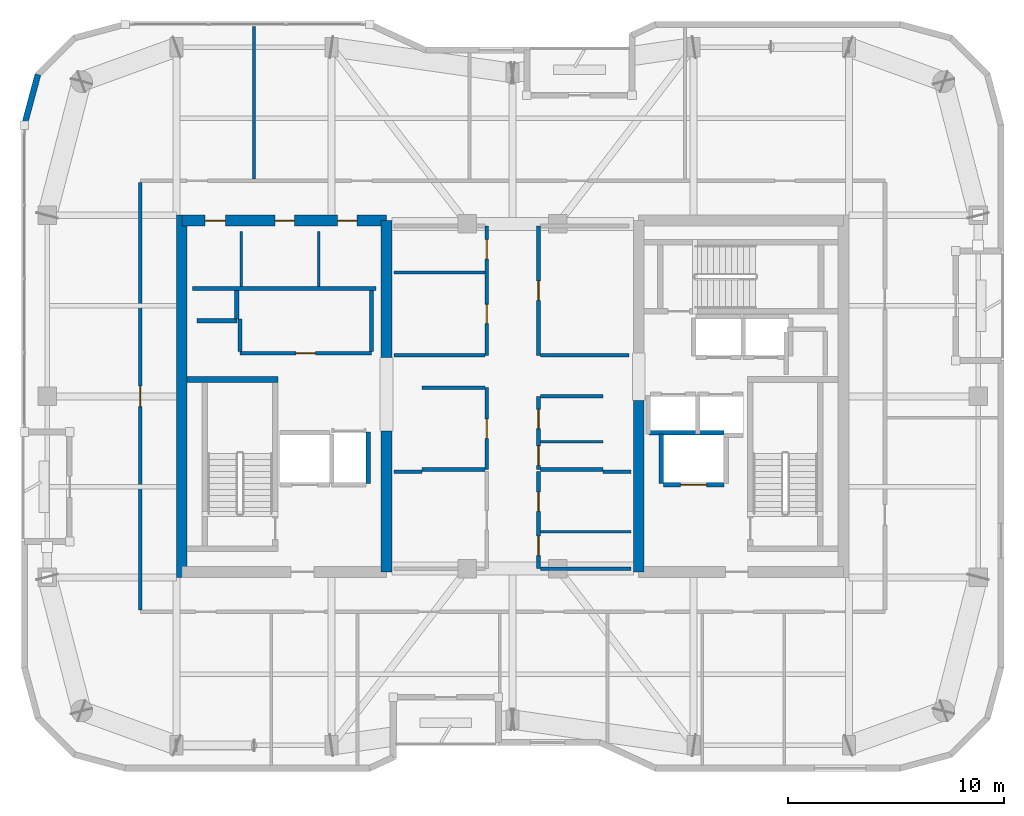
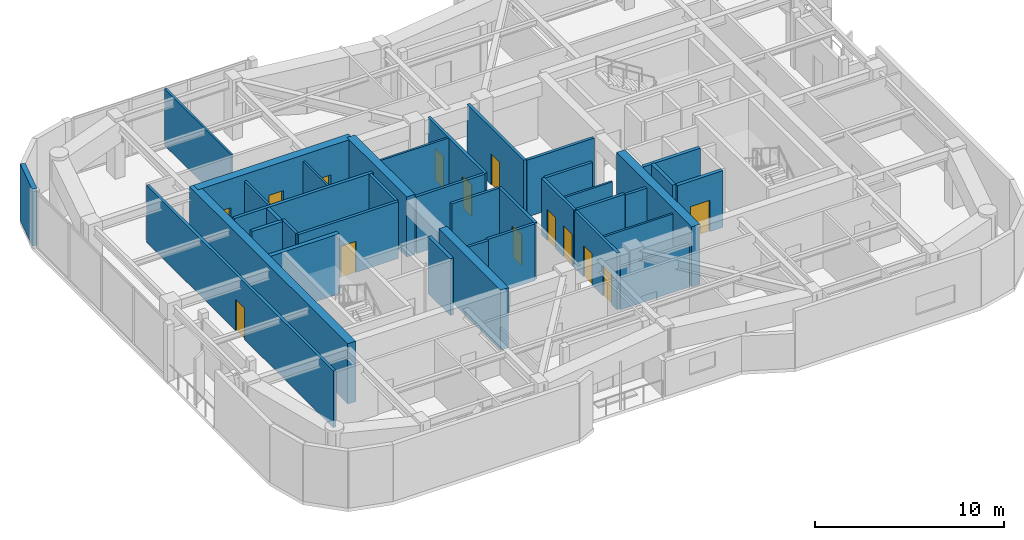
# One storey, part 11 of 15: 38 walls, 14 doors, 14 openings.
"""IFC4 building model written with IfcOpenShell, lengths in metres."""

from ifc_helpers import new_model, si_unit, direction, frame, frame_2d, origin, place, context, subcontext, project, spatial, rectangle, extrude, material, layer, layer_set, type_object, element, fill, save


model = new_model("IFC4")

# Units and contexts
model_context = context("Model", 3, precision=1e-05, world=origin(), true_north=direction((0.0, 1.0)))
body_context = subcontext(model_context, "Body", "Model", "MODEL_VIEW")
ifc_project = project(units=[si_unit("LENGTHUNIT", "METRE"), si_unit("AREAUNIT", "SQUARE_METRE"), si_unit("VOLUMEUNIT", "CUBIC_METRE"), si_unit("PLANEANGLEUNIT", "RADIAN"), si_unit("MASSUNIT", "GRAM", prefix="KILO")], contexts=[model_context])

# Site, building, storey
site_placement = place(None, origin())
site = spatial("IfcSite", under=ifc_project, at=site_placement, CompositionType="ELEMENT")
building_placement = place(site_placement, origin())
building = spatial("IfcBuilding", under=site, at=building_placement, Name="Kiyonajd Concourse Tower", CompositionType="ELEMENT")
storey_placement = place(building_placement, frame((0.0, 0.0, 314.10009765625)))
storey = spatial("IfcBuildingStorey", under=building, at=storey_placement, Name="L79", CompositionType="ELEMENT", Elevation=314.10009765625)

# Walls
ifc_material_1 = material(Name="Concrete C60/75", Category="concrete")
ifc_layer_1 = layer(ifc_material_1, 0.5)
ifc_layer_set_1 = layer_set([ifc_layer_1], Name="Concrete C60/75")
wall_type_1 = type_object("IfcWallType", Name="WL-CORE-500", PredefinedType="SHEAR", material=ifc_layer_set_1)
wall_1_placement = place(storey_placement, frame((32.64990234375, 27.60009765625, 0.0), z_axis=(0.0, 0.0, 1.0), x_axis=(0.0, 1.0, 0.0)))
element("IfcWall", 1, at=wall_1_placement, inside=storey, type_object=wall_type_1, Name="L79 West Core Outer Shear Wall", PredefinedType="SHEAR", context=body_context, shape_type="SweptSolid", body=[
    extrude(rectangle(XDim=16.7998046875, YDim=0.5, at=frame_2d((8.39990234375, 0.0))), origin(), (0.0, 0.0, 1.0), 3.89990234375),
])
wall_2_placement = place(storey_placement, frame((42.14990234375, 27.85009765625, 0.0), z_axis=(0.0, 0.0, 1.0), x_axis=(0.0, 1.0, 0.0)))
element("IfcWall", 2, at=wall_2_placement, inside=storey, type_object=wall_type_1, Name="L79 West Core Inner South Shear Wall", PredefinedType="SHEAR", context=body_context, shape_type="SweptSolid", body=[
    extrude(rectangle(XDim=6.5498046875, YDim=0.5, at=frame_2d((3.27490234375, 0.0))), origin(), (0.0, 0.0, 1.0), 3.89990234375),
])
wall_3_placement = place(storey_placement, frame((42.14990234375, 37.800048828125, 0.0), z_axis=(0.0, 0.0, 1.0), x_axis=(0.0, 1.0, 0.0)))
element("IfcWall", 3, at=wall_3_placement, inside=storey, type_object=wall_type_1, Name="L79 West Core Inner North Shear Wall", PredefinedType="SHEAR", context=body_context, shape_type="SweptSolid", body=[
    extrude(rectangle(XDim=6.349853515625, YDim=0.5, at=frame_2d((3.1748046875, 0.0))), origin(), (0.0, 0.0, 1.0), 3.89990234375),
])

# Wall, openings, doors
wall_4_placement = place(storey_placement, frame((32.64990234375, 44.14990234375, 0.0), z_axis=(0.0, 0.0, 1.0), x_axis=(1.0, 0.0, 0.0)))
wall_4 = element("IfcWall", 4, at=wall_4_placement, inside=storey, type_object=wall_type_1, Name="L79 West Core North Shear Wall", PredefinedType="SHEAR", context=body_context, shape_type="SweptSolid", body=[
    extrude(rectangle(XDim=9.5, YDim=0.5, at=frame_2d((4.75, 0.0))), origin(), (0.0, 0.0, 1.0), 3.89990234375),
])
opening_1_placement = place(wall_4_placement, frame((1.074951171875, 0.0, 0.0)))
opening_1 = element("IfcOpeningElement", 5, at=opening_1_placement, cuts=wall_4, Name="Opening DI1", PredefinedType="OPENING", context=body_context, shape_type="SweptSolid", body=[
    extrude(rectangle(XDim=0.949951171875, YDim=2.0400390625, at=frame_2d((0.47509765625, 1.02001953125))), frame((0.0, 0.260009765625, 0.0), z_axis=(0.0, -1.0, 0.0), x_axis=(1.0, 0.0, 0.0)), (0.0, 0.0, 1.0), 0.52001953125),
])
opening_2_placement = place(wall_4_placement, frame((4.324951171875, 0.0, 0.0)))
opening_2 = element("IfcOpeningElement", 6, at=opening_2_placement, cuts=wall_4, Name="Opening DI2", PredefinedType="OPENING", context=body_context, shape_type="SweptSolid", body=[
    extrude(rectangle(XDim=0.89990234375, YDim=2.02001953125, at=frame_2d((0.449951171875, 1.010009765625))), frame((0.0, 0.260009765625, 0.0), z_axis=(0.0, -1.0, 0.0), x_axis=(1.0, 0.0, 0.0)), (0.0, 0.0, 1.0), 0.52001953125),
])
opening_3_placement = place(wall_4_placement, frame((7.22509765625, 0.0, 0.0)))
opening_3 = element("IfcOpeningElement", 7, at=opening_3_placement, cuts=wall_4, Name="Opening DI2", PredefinedType="OPENING", context=body_context, shape_type="SweptSolid", body=[
    extrude(rectangle(XDim=0.89990234375, YDim=2.02001953125, at=frame_2d((0.449951171875, 1.010009765625))), frame((0.0, 0.260009765625, 0.0), z_axis=(0.0, -1.0, 0.0), x_axis=(1.0, 0.0, 0.0)), (0.0, 0.0, 1.0), 0.52001953125),
])
ifc_material_2 = material(Name="Natural Oak Acoustic Timber Veneer", Category="wood")
door_type_1 = type_object("IfcDoorType", Name="DR-INT-900", OperationType="NOTDEFINED", PredefinedType="DOOR", material=ifc_material_2)
door_1_placement = place(opening_2_placement, origin())
door_1 = element("IfcDoor", 8, at=door_1_placement, inside=storey, type_object=door_type_1, Name="L79 Male Restroom Door", OperationType="SINGLE_SWING_RIGHT", OverallHeight=2.02001953125, OverallWidth=0.89990234375, PredefinedType="DOOR", context=body_context, shape_type="SweptSolid", body=[
    extrude(rectangle(XDim=0.89990234375, YDim=2.02001953125, at=frame_2d((0.449951171875, 1.010009765625))), frame((0.0, 0.02490234375, 0.0), z_axis=(0.0, -1.0, 0.0), x_axis=(1.0, 0.0, 0.0)), (0.0, 0.0, 1.0), 0.050048828125),
])
fill(opening_2, door_1)
door_2_placement = place(opening_3_placement, origin())
door_2 = element("IfcDoor", 9, at=door_2_placement, inside=storey, type_object=door_type_1, Name="L79 Female Restroom Door", OperationType="SINGLE_SWING_LEFT", OverallHeight=2.02001953125, OverallWidth=0.89990234375, PredefinedType="DOOR", context=body_context, shape_type="SweptSolid", body=[
    extrude(rectangle(XDim=0.89990234375, YDim=2.02001953125, at=frame_2d((0.449951171875, 1.010009765625))), frame((0.0, 0.02490234375, 0.0), z_axis=(0.0, -1.0, 0.0), x_axis=(1.0, 0.0, 0.0)), (0.0, 0.0, 1.0), 0.050048828125),
])
fill(opening_3, door_2)
door_type_2 = type_object("IfcDoorType", Name="DR-INT-950", OperationType="NOTDEFINED", PredefinedType="DOOR", material=ifc_material_2)
door_3_placement = place(opening_1_placement, origin())
door_3 = element("IfcDoor", 10, at=door_3_placement, inside=storey, type_object=door_type_2, Name="L79 Single User Accessible WC Door", OperationType="SINGLE_SWING_LEFT", OverallHeight=2.0400390625, OverallWidth=0.949951171875, PredefinedType="DOOR", context=body_context, shape_type="SweptSolid", body=[
    extrude(rectangle(XDim=0.949951171875, YDim=2.0400390625, at=frame_2d((0.47509765625, 1.02001953125))), frame((0.0, 0.02490234375, 0.0), z_axis=(0.0, -1.0, 0.0), x_axis=(1.0, 0.0, 0.0)), (0.0, 0.0, 1.0), 0.050048828125),
])
fill(opening_1, door_3)

# Walls
wall_5_placement = place(storey_placement, frame((53.85009765625, 27.85009765625, 0.0), z_axis=(0.0, 0.0, 1.0), x_axis=(0.0, 1.0, 0.0)))
element("IfcWall", 11, at=wall_5_placement, inside=storey, type_object=wall_type_1, Name="L79 East Core Inner South Shear Wall", PredefinedType="SHEAR", context=body_context, shape_type="SweptSolid", body=[
    extrude(rectangle(XDim=7.949951171875, YDim=0.5, at=frame_2d((3.97509765625, 0.0))), origin(), (0.0, 0.0, 1.0), 3.89990234375),
])
ifc_material_3 = material(Name="Precast concrete C50/60", Category="concrete")
ifc_layer_2 = layer(ifc_material_3, 0.280029296875)
ifc_layer_set_2 = layer_set([ifc_layer_2], Name="Precast concrete C50/60")
wall_type_2 = type_object("IfcWallType", Name="WL-EXT-280", PredefinedType="SOLIDWALL", material=ifc_layer_set_2)
wall_6_placement = place(storey_placement, frame((25.340087890625, 48.58154296875, 0.0), z_axis=(0.0, 0.0, 1.0), x_axis=(0.258751159445, 0.965944013639, 0.0)))
element("IfcWall", 12, at=wall_6_placement, inside=storey, type_object=wall_type_2, Name="L79 Exterior Concrete Frame Wall 06", PredefinedType="SOLIDWALL", context=body_context, shape_type="SweptSolid", body=[
    extrude(rectangle(XDim=2.4287109375, YDim=0.280029296875, at=frame_2d((1.21435546875, 0.0))), origin(), (0.0, 0.0, 1.0), 3.679931640625),
])
ifc_material_4 = material(Name="Gypsum Board on Cold-Formed Steel Stud", Category="steel")
ifc_layer_3 = layer(ifc_material_4, 0.125)
ifc_layer_set_3 = layer_set([ifc_layer_3], Name="Gypsum Board on Cold-Formed Steel Stud")
wall_type_3 = type_object("IfcWallType", Name="WL-PART-125", PredefinedType="PARTITIONING", material=ifc_layer_set_3)
for number, where, z_axis, x_axis, name in (
    (13, (35.39990234375, 41.094970703125, 0.0), (0.0, 0.0, 1.0), (0.0, 1.0, 0.0), "L79 Interior Partition Wall"),
    (14, (39.0, 41.094970703125, 0.0), (0.0, 0.0, 1.0), (0.0, 1.0, 0.0), "L79 Interior Partition Wall"),
):
    element("IfcWall", number, at=place(storey_placement, frame(where, z_axis=z_axis, x_axis=x_axis)), inside=storey, type_object=wall_type_3, Name=name, PredefinedType="PARTITIONING", context=body_context, shape_type="SweptSolid", body=[
        extrude(rectangle(XDim=2.554931640625, YDim=0.125, at=frame_2d((1.27734375, 0.0))), origin(), (0.0, 0.0, 1.0), 3.679931640625),
    ])
wall_7_placement = place(storey_placement, frame((49.287109375, 33.89208984375, 0.0), z_axis=(0.0, 0.0, 1.0), x_axis=(1.0, 0.0, 0.0)))
element("IfcWall", 15, at=wall_7_placement, inside=storey, type_object=wall_type_3, Name="L79 Interior Partition Wall", PredefinedType="PARTITIONING", context=body_context, shape_type="SweptSolid", body=[
    extrude(rectangle(XDim=2.912841796875, YDim=0.125, at=frame_2d((1.45654296875, 0.0))), origin(), (0.0, 0.0, 1.0), 3.679931640625),
])
for number, where, z_axis, x_axis, name in (
    (16, (49.287109375, 29.7099609375, 0.0), (0.0, 0.0, 1.0), (1.0, 0.0, 0.0), "L79 Interior Partition Wall"),
    (17, (42.5, 41.739990234375, 0.0), (0.0, 0.0, 1.0), (1.0, 0.0, 0.0), "L79 Interior Partition Wall"),
):
    element("IfcWall", number, at=place(storey_placement, frame(where, z_axis=z_axis, x_axis=x_axis)), inside=storey, type_object=wall_type_3, Name=name, PredefinedType="PARTITIONING", context=body_context, shape_type="SweptSolid", body=[
        extrude(rectangle(XDim=4.212890625, YDim=0.125, at=frame_2d((2.1064453125, 0.0))), origin(), (0.0, 0.0, 1.0), 3.679931640625),
    ])
wall_8_placement = place(storey_placement, frame((36.0, 46.0869140625, 0.0), z_axis=(0.0, 0.0, 1.0), x_axis=(0.0, 1.0, 0.0)))
element("IfcWall", 18, at=wall_8_placement, inside=storey, type_object=wall_type_3, Name="L79 Interior Partition Wall", PredefinedType="PARTITIONING", context=body_context, shape_type="SweptSolid", body=[
    extrude(rectangle(XDim=7.078125, YDim=0.125, at=frame_2d((3.5390625, 0.0))), origin(), (0.0, 0.0, 1.0), 3.679931640625),
])
ifc_layer_4 = layer(ifc_material_4, 0.18994140625)
ifc_layer_set_4 = layer_set([ifc_layer_4], Name="Gypsum Board on Cold-Formed Steel Stud")
wall_type_4 = type_object("IfcWallType", Name="WL-PLMB-190", PredefinedType="PLUMBINGWALL", material=ifc_layer_set_4)
wall_9_placement = place(storey_placement, frame((33.14990234375, 41.0, 0.0), z_axis=(0.0, 0.0, 1.0), x_axis=(1.0, 0.0, 0.0)))
element("IfcWall", 19, at=wall_9_placement, inside=storey, type_object=wall_type_4, Name="L79 Interior Partition Wall", PredefinedType="PLUMBINGWALL", context=body_context, shape_type="SweptSolid", body=[
    extrude(rectangle(XDim=8.5, YDim=0.18994140625, at=frame_2d((4.25, 0.0))), origin(), (0.0, 0.0, 1.0), 3.679931640625),
])
ifc_layer_5 = layer(ifc_material_4, 0.2099609375)
ifc_layer_set_5 = layer_set([ifc_layer_5], Name="Gypsum Board on Cold-Formed Steel Stud")
wall_type_5 = type_object("IfcWallType", Name="WL-SHAFT-210", PredefinedType="PARTITIONING", material=ifc_layer_set_5)
wall_10_placement = place(storey_placement, frame((33.360107421875, 39.5, 0.0), z_axis=(0.0, 0.0, 1.0), x_axis=(1.0, 0.0, 0.0)))
element("IfcWall", 20, at=wall_10_placement, inside=storey, type_object=wall_type_5, Name="L79 Shaft Enclosure Wall", PredefinedType="PARTITIONING", context=body_context, shape_type="SweptSolid", body=[
    extrude(rectangle(XDim=1.85986328125, YDim=0.2099609375, at=frame_2d((0.929931640625, 0.0))), origin(), (0.0, 0.0, 1.0), 3.679931640625),
])
wall_11_placement = place(storey_placement, frame((35.199951171875, 39.580078125, 0.0), z_axis=(0.0, 0.0, 1.0), x_axis=(0.0, 1.0, 0.0)))
element("IfcWall", 21, at=wall_11_placement, inside=storey, type_object=wall_type_5, Name="L79 Shaft Enclosure Wall", PredefinedType="PARTITIONING", context=body_context, shape_type="SweptSolid", body=[
    extrude(rectangle(XDim=1.31982421875, YDim=0.2099609375, at=frame_2d((0.659912109375, 0.0))), origin(), (0.0, 0.0, 1.0), 3.679931640625),
])

# Wall, opening, door
wall_12_placement = place(storey_placement, frame((55.0, 31.89990234375, 0.0), z_axis=(0.0, 0.0, 1.0), x_axis=(1.0, 0.0, 0.0)))
wall_12 = element("IfcWall", 22, at=wall_12_placement, inside=storey, type_object=wall_type_5, Name="L79 Shaft Enclosure Wall", PredefinedType="PARTITIONING", context=body_context, shape_type="SweptSolid", body=[
    extrude(rectangle(XDim=2.800048828125, YDim=0.2099609375, at=frame_2d((1.39990234375, 0.0))), origin(), (0.0, 0.0, 1.0), 3.679931640625),
])
opening_4_placement = place(wall_12_placement, frame((0.800048828125, 0.0, 0.0)))
opening_4 = element("IfcOpeningElement", 23, at=opening_4_placement, cuts=wall_12, Name="Opening LD2", PredefinedType="OPENING", context=body_context, shape_type="SweptSolid", body=[
    extrude(rectangle(XDim=1.199951171875, YDim=2.0400390625, at=frame_2d((0.60009765625, 1.02001953125))), frame((0.0, 0.114990234375, 0.0), z_axis=(0.0, -1.0, 0.0), x_axis=(1.0, 0.0, 0.0)), (0.0, 0.0, 1.0), 0.22998046875),
])
ifc_material_5 = material(Name="Brushed Stainless Steel Cab Assembly", Category="steel")
door_type_3 = type_object("IfcDoorType", Name="DR-LD-1200", OperationType="DOUBLE_DOOR_SLIDING", PredefinedType="DOOR", material=ifc_material_5)
door_4_placement = place(opening_4_placement, origin())
door_4 = element("IfcDoor", 24, at=door_4_placement, inside=storey, type_object=door_type_3, Name="L79 Lift FFL2 Sliding Landing Door", OperationType="DOUBLE_DOOR_SLIDING", OverallHeight=2.0400390625, OverallWidth=1.199951171875, PredefinedType="DOOR", context=body_context, shape_type="SweptSolid", body=[
    extrude(rectangle(XDim=1.199951171875, YDim=2.0400390625, at=frame_2d((0.60009765625, 1.02001953125))), frame((0.0, 0.02490234375, 0.0), z_axis=(0.0, -1.0, 0.0), x_axis=(1.0, 0.0, 0.0)), (0.0, 0.0, 1.0), 0.050048828125),
])
fill(opening_4, door_4)

# Walls
wall_13_placement = place(storey_placement, frame((54.320068359375, 34.300048828125, 0.0), z_axis=(0.0, 0.0, 1.0), x_axis=(1.0, 0.0, 0.0)))
element("IfcWall", 25, at=wall_13_placement, inside=storey, type_object=wall_type_5, Name="L79 Shaft Enclosure Wall", PredefinedType="PARTITIONING", context=body_context, shape_type="SweptSolid", body=[
    extrude(rectangle(XDim=3.47998046875, YDim=0.2099609375, at=frame_2d((1.739990234375, 0.0))), origin(), (0.0, 0.0, 1.0), 3.679931640625),
])
wall_14_placement = place(storey_placement, frame((54.89990234375, 31.9599609375, 0.0), z_axis=(0.0, 0.0, 1.0), x_axis=(0.0, 1.0, 0.0)))
element("IfcWall", 26, at=wall_14_placement, inside=storey, type_object=wall_type_5, Name="L79 Shaft Enclosure Wall", PredefinedType="PARTITIONING", context=body_context, shape_type="SweptSolid", body=[
    extrude(rectangle(XDim=2.280029296875, YDim=0.2099609375, at=frame_2d((1.14013671875, 0.0))), origin(), (0.0, 0.0, 1.0), 3.679931640625),
])
wall_15_placement = place(storey_placement, frame((41.300048828125, 31.9599609375, 0.0), z_axis=(0.0, 0.0, 1.0), x_axis=(0.0, 1.0, 0.0)))
element("IfcWall", 27, at=wall_15_placement, inside=storey, type_object=wall_type_5, Name="L79 Shaft Enclosure Wall", PredefinedType="PARTITIONING", context=body_context, shape_type="SweptSolid", body=[
    extrude(rectangle(XDim=2.380126953125, YDim=0.2099609375, at=frame_2d((1.18994140625, 0.0))), origin(), (0.0, 0.0, 1.0), 3.679931640625),
])

# Wall, opening, door
ifc_layer_6 = layer(ifc_material_4, 0.169921875)
ifc_layer_set_6 = layer_set([ifc_layer_6], Name="Gypsum Board on Cold-Formed Steel Stud")
wall_type_6 = type_object("IfcWallType", Name="WL-SMK-170", PredefinedType="PARTITIONING", material=ifc_layer_set_6)
wall_16_placement = place(storey_placement, frame((35.35009765625, 38.0, 0.0), z_axis=(0.0, 0.0, 1.0), x_axis=(1.0, 0.0, 0.0)))
wall_16 = element("IfcWall", 28, at=wall_16_placement, inside=storey, type_object=wall_type_6, Name="L79 Interior Partition Wall", PredefinedType="PARTITIONING", context=body_context, shape_type="SweptSolid", body=[
    extrude(rectangle(XDim=6.099853515625, YDim=0.169921875, at=frame_2d((3.0498046875, 0.0))), origin(), (0.0, 0.0, 1.0), 3.679931640625),
])
opening_5_placement = place(wall_16_placement, frame((2.60009765625, 0.0, 0.0)))
opening_5 = element("IfcOpeningElement", 29, at=opening_5_placement, cuts=wall_16, Name="Opening DI2", PredefinedType="OPENING", context=body_context, shape_type="SweptSolid", body=[
    extrude(rectangle(XDim=0.89990234375, YDim=2.02001953125, at=frame_2d((0.449951171875, 1.010009765625))), frame((0.0, 0.094970703125, 0.0), z_axis=(0.0, -1.0, 0.0), x_axis=(1.0, 0.0, 0.0)), (0.0, 0.0, 1.0), 0.18994140625),
])
door_5_placement = place(opening_5_placement, origin())
door_5 = element("IfcDoor", 30, at=door_5_placement, inside=storey, type_object=door_type_1, Name="L79 Interior Door", OperationType="SINGLE_SWING_LEFT", OverallHeight=2.02001953125, OverallWidth=0.89990234375, PredefinedType="DOOR", context=body_context, shape_type="SweptSolid", body=[
    extrude(rectangle(XDim=0.89990234375, YDim=2.02001953125, at=frame_2d((0.449951171875, 1.010009765625))), frame((0.0, 0.02490234375, 0.0), z_axis=(0.0, -1.0, 0.0), x_axis=(1.0, 0.0, 0.0)), (0.0, 0.0, 1.0), 0.050048828125),
])
fill(opening_5, door_5)

# Walls
wall_17_placement = place(storey_placement, frame((35.35009765625, 38.0869140625, 0.0), z_axis=(0.0, 0.0, 1.0), x_axis=(0.0, 1.0, 0.0)))
element("IfcWall", 31, at=wall_17_placement, inside=storey, type_object=wall_type_6, Name="L79 Interior Partition Wall", PredefinedType="PARTITIONING", context=body_context, shape_type="SweptSolid", body=[
    extrude(rectangle(XDim=1.4931640625, YDim=0.169921875, at=frame_2d((0.74658203125, 0.0))), origin(), (0.0, 0.0, 1.0), 3.679931640625),
])
wall_18_placement = place(storey_placement, frame((41.449951171875, 38.0869140625, 0.0), z_axis=(0.0, 0.0, 1.0), x_axis=(0.0, 1.0, 0.0)))
element("IfcWall", 32, at=wall_18_placement, inside=storey, type_object=wall_type_6, Name="L79 Interior Partition Wall", PredefinedType="PARTITIONING", context=body_context, shape_type="SweptSolid", body=[
    extrude(rectangle(XDim=2.81298828125, YDim=0.169921875, at=frame_2d((1.406494140625, 0.0))), origin(), (0.0, 0.0, 1.0), 3.679931640625),
])

# Wall, opening, door
wall_19_placement = place(storey_placement, frame((46.800048828125, 32.60009765625, 0.0), z_axis=(0.0, 0.0, 1.0), x_axis=(0.0, 1.0, 0.0)))
wall_19 = element("IfcWall", 33, at=wall_19_placement, inside=storey, type_object=wall_type_6, Name="L79 Interior Partition Wall", PredefinedType="PARTITIONING", context=body_context, shape_type="SweptSolid", body=[
    extrude(rectangle(XDim=3.7998046875, YDim=0.169921875, at=frame_2d((1.89990234375, 0.0))), origin(), (0.0, 0.0, 1.0), 3.679931640625),
])
opening_6_placement = place(wall_19_placement, frame((1.449951171875, 0.0, 0.0)))
opening_6 = element("IfcOpeningElement", 34, at=opening_6_placement, cuts=wall_19, Name="Opening DI2", PredefinedType="OPENING", context=body_context, shape_type="SweptSolid", body=[
    extrude(rectangle(XDim=0.89990234375, YDim=2.02001953125, at=frame_2d((0.449951171875, 1.010009765625))), frame((0.0, 0.094970703125, 0.0), z_axis=(0.0, -1.0, 0.0), x_axis=(1.0, 0.0, 0.0)), (0.0, 0.0, 1.0), 0.18994140625),
])
door_6_placement = place(opening_6_placement, origin())
door_6 = element("IfcDoor", 35, at=door_6_placement, inside=storey, type_object=door_type_1, Name="L79 Interior Door", OperationType="SINGLE_SWING_RIGHT", OverallHeight=2.02001953125, OverallWidth=0.89990234375, PredefinedType="DOOR", context=body_context, shape_type="SweptSolid", body=[
    extrude(rectangle(XDim=0.89990234375, YDim=2.02001953125, at=frame_2d((0.449951171875, 1.010009765625))), frame((0.0, 0.02490234375, 0.0), z_axis=(0.0, -1.0, 0.0), x_axis=(1.0, 0.0, 0.0)), (0.0, 0.0, 1.0), 0.050048828125),
])
fill(opening_6, door_6)

# Walls
for number, where, z_axis, x_axis, name in (
    (36, (43.800048828125, 32.60009765625, 0.0), (0.0, 0.0, 1.0), (1.0, 0.0, 0.0), "L79 Interior Partition Wall"),
    (37, (43.800048828125, 36.39990234375, 0.0), (0.0, 0.0, 1.0), (1.0, 0.0, 0.0), "L79 Interior Partition Wall"),
):
    element("IfcWall", number, at=place(storey_placement, frame(where, z_axis=z_axis, x_axis=x_axis)), inside=storey, type_object=wall_type_6, Name=name, PredefinedType="PARTITIONING", context=body_context, shape_type="SweptSolid", body=[
        extrude(rectangle(XDim=2.912841796875, YDim=0.169921875, at=frame_2d((1.45654296875, 0.0))), origin(), (0.0, 0.0, 1.0), 3.679931640625),
    ])

# Wall, openings, doors
wall_20_placement = place(storey_placement, frame((49.199951171875, 32.60009765625, 0.0), z_axis=(0.0, 0.0, 1.0), x_axis=(0.0, 1.0, 0.0)))
wall_20 = element("IfcWall", 38, at=wall_20_placement, inside=storey, type_object=wall_type_6, Name="L79 Interior Partition Wall", PredefinedType="PARTITIONING", context=body_context, shape_type="SweptSolid", body=[
    extrude(rectangle(XDim=3.39990234375, YDim=0.169921875, at=frame_2d((1.699951171875, 0.0))), origin(), (0.0, 0.0, 1.0), 3.679931640625),
])
opening_7_placement = place(wall_20_placement, frame((0.196044921875, 0.0, 0.0)))
opening_7 = element("IfcOpeningElement", 39, at=opening_7_placement, cuts=wall_20, Name="Opening DI2", PredefinedType="OPENING", context=body_context, shape_type="SweptSolid", body=[
    extrude(rectangle(XDim=0.89990234375, YDim=2.02001953125, at=frame_2d((0.449951171875, 1.010009765625))), frame((0.0, 0.094970703125, 0.0), z_axis=(0.0, -1.0, 0.0), x_axis=(1.0, 0.0, 0.0)), (0.0, 0.0, 1.0), 0.18994140625),
])
opening_8_placement = place(wall_20_placement, frame((1.89599609375, 0.0, 0.0)))
opening_8 = element("IfcOpeningElement", 40, at=opening_8_placement, cuts=wall_20, Name="Opening DI2", PredefinedType="OPENING", context=body_context, shape_type="SweptSolid", body=[
    extrude(rectangle(XDim=0.89990234375, YDim=2.02001953125, at=frame_2d((0.449951171875, 1.010009765625))), frame((0.0, 0.094970703125, 0.0), z_axis=(0.0, -1.0, 0.0), x_axis=(1.0, 0.0, 0.0)), (0.0, 0.0, 1.0), 0.18994140625),
])
door_7_placement = place(opening_7_placement, origin())
door_7 = element("IfcDoor", 41, at=door_7_placement, inside=storey, type_object=door_type_1, Name="L79 Interior Door", OperationType="SINGLE_SWING_LEFT", OverallHeight=2.02001953125, OverallWidth=0.89990234375, PredefinedType="DOOR", context=body_context, shape_type="SweptSolid", body=[
    extrude(rectangle(XDim=0.89990234375, YDim=2.02001953125, at=frame_2d((0.449951171875, 1.010009765625))), frame((0.0, 0.02490234375, 0.0), z_axis=(0.0, -1.0, 0.0), x_axis=(1.0, 0.0, 0.0)), (0.0, 0.0, 1.0), 0.050048828125),
])
fill(opening_7, door_7)
door_8_placement = place(opening_8_placement, origin())
door_8 = element("IfcDoor", 42, at=door_8_placement, inside=storey, type_object=door_type_1, Name="L79 Interior Door", OperationType="SINGLE_SWING_RIGHT", OverallHeight=2.02001953125, OverallWidth=0.89990234375, PredefinedType="DOOR", context=body_context, shape_type="SweptSolid", body=[
    extrude(rectangle(XDim=0.89990234375, YDim=2.02001953125, at=frame_2d((0.449951171875, 1.010009765625))), frame((0.0, 0.02490234375, 0.0), z_axis=(0.0, -1.0, 0.0), x_axis=(1.0, 0.0, 0.0)), (0.0, 0.0, 1.0), 0.050048828125),
])
fill(opening_8, door_8)

# Walls
for number, where, z_axis, x_axis, name in (
    (43, (49.287109375, 32.60009765625, 0.0), (0.0, 0.0, 1.0), (1.0, 0.0, 0.0), "L79 Interior Partition Wall"),
    (44, (49.287109375, 36.0, 0.0), (0.0, 0.0, 1.0), (1.0, 0.0, 0.0), "L79 Interior Partition Wall"),
):
    element("IfcWall", number, at=place(storey_placement, frame(where, z_axis=z_axis, x_axis=x_axis)), inside=storey, type_object=wall_type_6, Name=name, PredefinedType="PARTITIONING", context=body_context, shape_type="SweptSolid", body=[
        extrude(rectangle(XDim=2.912841796875, YDim=0.169921875, at=frame_2d((1.45654296875, 0.0))), origin(), (0.0, 0.0, 1.0), 3.679931640625),
    ])
wall_21_placement = place(storey_placement, frame((42.5, 32.5, 0.0), z_axis=(0.0, 0.0, 1.0), x_axis=(1.0, 0.0, 0.0)))
element("IfcWall", 45, at=wall_21_placement, inside=storey, type_object=wall_type_6, Name="L79 Interior Partition Wall", PredefinedType="PARTITIONING", context=body_context, shape_type="SweptSolid", body=[
    extrude(rectangle(XDim=1.300048828125, YDim=0.169921875, at=frame_2d((0.64990234375, 0.0))), origin(), (0.0, 0.0, 1.0), 3.679931640625),
])

# Wall, openings, doors
wall_22_placement = place(storey_placement, frame((49.199951171875, 28.0, 0.0), z_axis=(0.0, 0.0, 1.0), x_axis=(0.0, 1.0, 0.0)))
wall_22 = element("IfcWall", 46, at=wall_22_placement, inside=storey, type_object=wall_type_6, Name="L79 Interior Partition Wall", PredefinedType="PARTITIONING", context=body_context, shape_type="SweptSolid", body=[
    extrude(rectangle(XDim=4.5, YDim=0.169921875, at=frame_2d((2.25, 0.0))), origin(), (0.0, 0.0, 1.0), 3.679931640625),
])
opening_9_placement = place(wall_22_placement, frame((0.60498046875, 0.0, 0.0)))
opening_9 = element("IfcOpeningElement", 47, at=opening_9_placement, cuts=wall_22, Name="Opening DI2", PredefinedType="OPENING", context=body_context, shape_type="SweptSolid", body=[
    extrude(rectangle(XDim=0.89990234375, YDim=2.02001953125, at=frame_2d((0.449951171875, 1.010009765625))), frame((0.0, 0.094970703125, 0.0), z_axis=(0.0, -1.0, 0.0), x_axis=(1.0, 0.0, 0.0)), (0.0, 0.0, 1.0), 0.18994140625),
])
opening_10_placement = place(wall_22_placement, frame((2.655029296875, 0.0, 0.0)))
opening_10 = element("IfcOpeningElement", 48, at=opening_10_placement, cuts=wall_22, Name="Opening DI2", PredefinedType="OPENING", context=body_context, shape_type="SweptSolid", body=[
    extrude(rectangle(XDim=0.89990234375, YDim=2.02001953125, at=frame_2d((0.449951171875, 1.010009765625))), frame((0.0, 0.094970703125, 0.0), z_axis=(0.0, -1.0, 0.0), x_axis=(1.0, 0.0, 0.0)), (0.0, 0.0, 1.0), 0.18994140625),
])
door_9_placement = place(opening_9_placement, origin())
door_9 = element("IfcDoor", 49, at=door_9_placement, inside=storey, type_object=door_type_1, Name="L79 Interior Door", OperationType="SINGLE_SWING_RIGHT", OverallHeight=2.02001953125, OverallWidth=0.89990234375, PredefinedType="DOOR", context=body_context, shape_type="SweptSolid", body=[
    extrude(rectangle(XDim=0.89990234375, YDim=2.02001953125, at=frame_2d((0.449951171875, 1.010009765625))), frame((0.0, 0.02490234375, 0.0), z_axis=(0.0, -1.0, 0.0), x_axis=(1.0, 0.0, 0.0)), (0.0, 0.0, 1.0), 0.050048828125),
])
fill(opening_9, door_9)
door_10_placement = place(opening_10_placement, origin())
door_10 = element("IfcDoor", 50, at=door_10_placement, inside=storey, type_object=door_type_1, Name="L79 Interior Door", OperationType="SINGLE_SWING_LEFT", OverallHeight=2.02001953125, OverallWidth=0.89990234375, PredefinedType="DOOR", context=body_context, shape_type="SweptSolid", body=[
    extrude(rectangle(XDim=0.89990234375, YDim=2.02001953125, at=frame_2d((0.449951171875, 1.010009765625))), frame((0.0, 0.02490234375, 0.0), z_axis=(0.0, -1.0, 0.0), x_axis=(1.0, 0.0, 0.0)), (0.0, 0.0, 1.0), 0.050048828125),
])
fill(opening_10, door_10)

# Walls
wall_23_placement = place(storey_placement, frame((49.287109375, 28.0, 0.0), z_axis=(0.0, 0.0, 1.0), x_axis=(1.0, 0.0, 0.0)))
element("IfcWall", 51, at=wall_23_placement, inside=storey, type_object=wall_type_6, Name="L79 Interior Partition Wall", PredefinedType="PARTITIONING", context=body_context, shape_type="SweptSolid", body=[
    extrude(rectangle(XDim=4.212890625, YDim=0.169921875, at=frame_2d((2.1064453125, 0.0))), origin(), (0.0, 0.0, 1.0), 2.764892578125),
])
wall_24_placement = place(storey_placement, frame((52.199951171875, 32.5, 0.0), z_axis=(0.0, 0.0, 1.0), x_axis=(1.0, 0.0, 0.0)))
element("IfcWall", 52, at=wall_24_placement, inside=storey, type_object=wall_type_6, Name="L79 Interior Partition Wall", PredefinedType="PARTITIONING", context=body_context, shape_type="SweptSolid", body=[
    extrude(rectangle(XDim=1.300048828125, YDim=0.169921875, at=frame_2d((0.64990234375, 0.0))), origin(), (0.0, 0.0, 1.0), 3.679931640625),
])

# Wall, openings, doors
wall_25_placement = place(storey_placement, frame((46.800048828125, 37.89990234375, 0.0), z_axis=(0.0, 0.0, 1.0), x_axis=(0.0, 1.0, 0.0)))
wall_25 = element("IfcWall", 53, at=wall_25_placement, inside=storey, type_object=wall_type_6, Name="L79 Interior Partition Wall", PredefinedType="PARTITIONING", context=body_context, shape_type="SweptSolid", body=[
    extrude(rectangle(XDim=6.0, YDim=0.169921875, at=frame_2d((3.0, 0.0))), origin(), (0.0, 0.0, 1.0), 3.679931640625),
])
opening_11_placement = place(wall_25_placement, frame((1.469970703125, 0.0, 0.0)))
opening_11 = element("IfcOpeningElement", 54, at=opening_11_placement, cuts=wall_25, Name="Opening DF4", PredefinedType="OPENING", context=body_context, shape_type="SweptSolid", body=[
    extrude(rectangle(XDim=0.89990234375, YDim=2.02001953125, at=frame_2d((0.449951171875, 1.010009765625))), frame((0.0, 0.094970703125, 0.0), z_axis=(0.0, -1.0, 0.0), x_axis=(1.0, 0.0, 0.0)), (0.0, 0.0, 1.0), 0.18994140625),
])
opening_12_placement = place(wall_25_placement, frame((4.469970703125, 0.0, 0.0)))
opening_12 = element("IfcOpeningElement", 55, at=opening_12_placement, cuts=wall_25, Name="Opening DF4", PredefinedType="OPENING", context=body_context, shape_type="SweptSolid", body=[
    extrude(rectangle(XDim=0.89990234375, YDim=2.02001953125, at=frame_2d((0.449951171875, 1.010009765625))), frame((0.0, 0.094970703125, 0.0), z_axis=(0.0, -1.0, 0.0), x_axis=(1.0, 0.0, 0.0)), (0.0, 0.0, 1.0), 0.18994140625),
])
door_type_4 = type_object("IfcDoorType", Name="DR-FD60-900", OperationType="NOTDEFINED", PredefinedType="DOOR", material=ifc_material_5)
door_11_placement = place(opening_11_placement, origin())
door_11 = element("IfcDoor", 56, at=door_11_placement, inside=storey, type_object=door_type_4, Name="L79 Interior Door", OperationType="SINGLE_SWING_RIGHT", OverallHeight=2.02001953125, OverallWidth=0.89990234375, PredefinedType="DOOR", context=body_context, shape_type="SweptSolid", body=[
    extrude(rectangle(XDim=0.89990234375, YDim=2.02001953125, at=frame_2d((0.449951171875, 1.010009765625))), frame((0.0, 0.02490234375, 0.0), z_axis=(0.0, -1.0, 0.0), x_axis=(1.0, 0.0, 0.0)), (0.0, 0.0, 1.0), 0.050048828125),
])
fill(opening_11, door_11)
door_12_placement = place(opening_12_placement, origin())
door_12 = element("IfcDoor", 57, at=door_12_placement, inside=storey, type_object=door_type_4, Name="L79 Interior Door", OperationType="SINGLE_SWING_LEFT", OverallHeight=2.02001953125, OverallWidth=0.89990234375, PredefinedType="DOOR", context=body_context, shape_type="SweptSolid", body=[
    extrude(rectangle(XDim=0.89990234375, YDim=2.02001953125, at=frame_2d((0.449951171875, 1.010009765625))), frame((0.0, 0.02490234375, 0.0), z_axis=(0.0, -1.0, 0.0), x_axis=(1.0, 0.0, 0.0)), (0.0, 0.0, 1.0), 0.050048828125),
])
fill(opening_12, door_12)

# Wall
wall_26_placement = place(storey_placement, frame((42.5, 37.89990234375, 0.0), z_axis=(0.0, 0.0, 1.0), x_axis=(1.0, 0.0, 0.0)))
element("IfcWall", 58, at=wall_26_placement, inside=storey, type_object=wall_type_6, Name="L79 Interior Partition Wall", PredefinedType="PARTITIONING", context=body_context, shape_type="SweptSolid", body=[
    extrude(rectangle(XDim=4.212890625, YDim=0.169921875, at=frame_2d((2.1064453125, 0.0))), origin(), (0.0, 0.0, 1.0), 3.679931640625),
])

# Wall, opening, door
wall_27_placement = place(storey_placement, frame((49.199951171875, 37.89990234375, 0.0), z_axis=(0.0, 0.0, 1.0), x_axis=(0.0, 1.0, 0.0)))
wall_27 = element("IfcWall", 59, at=wall_27_placement, inside=storey, type_object=wall_type_6, Name="L79 Interior Partition Wall", PredefinedType="PARTITIONING", context=body_context, shape_type="SweptSolid", body=[
    extrude(rectangle(XDim=6.0, YDim=0.169921875, at=frame_2d((3.0, 0.0))), origin(), (0.0, 0.0, 1.0), 3.679931640625),
])
opening_13_placement = place(wall_27_placement, frame((2.550048828125, 0.0, 0.0)))
opening_13 = element("IfcOpeningElement", 60, at=opening_13_placement, cuts=wall_27, Name="Opening DI2", PredefinedType="OPENING", context=body_context, shape_type="SweptSolid", body=[
    extrude(rectangle(XDim=0.89990234375, YDim=2.02001953125, at=frame_2d((0.449951171875, 1.010009765625))), frame((0.0, 0.094970703125, 0.0), z_axis=(0.0, -1.0, 0.0), x_axis=(1.0, 0.0, 0.0)), (0.0, 0.0, 1.0), 0.18994140625),
])
door_13_placement = place(opening_13_placement, origin())
door_13 = element("IfcDoor", 61, at=door_13_placement, inside=storey, type_object=door_type_1, Name="L79 Interior Door", OperationType="SINGLE_SWING_RIGHT", OverallHeight=2.02001953125, OverallWidth=0.89990234375, PredefinedType="DOOR", context=body_context, shape_type="SweptSolid", body=[
    extrude(rectangle(XDim=0.89990234375, YDim=2.02001953125, at=frame_2d((0.449951171875, 1.010009765625))), frame((0.0, 0.02490234375, 0.0), z_axis=(0.0, -1.0, 0.0), x_axis=(1.0, 0.0, 0.0)), (0.0, 0.0, 1.0), 0.050048828125),
])
fill(opening_13, door_13)

# Wall
wall_28_placement = place(storey_placement, frame((49.287109375, 37.89990234375, 0.0), z_axis=(0.0, 0.0, 1.0), x_axis=(1.0, 0.0, 0.0)))
element("IfcWall", 62, at=wall_28_placement, inside=storey, type_object=wall_type_6, Name="L79 Interior Partition Wall", PredefinedType="PARTITIONING", context=body_context, shape_type="SweptSolid", body=[
    extrude(rectangle(XDim=4.11279296875, YDim=0.169921875, at=frame_2d((2.056396484375, 0.0))), origin(), (0.0, 0.0, 1.0), 3.679931640625),
])

# Wall, opening, door
wall_29_placement = place(storey_placement, frame((30.72509765625, 26.0869140625, 0.0), z_axis=(0.0, 0.0, 1.0), x_axis=(0.0, 1.0, 0.0)))
wall_29 = element("IfcWall", 63, at=wall_29_placement, inside=storey, type_object=wall_type_6, Name="L79 Interior Partition Wall", PredefinedType="PARTITIONING", context=body_context, shape_type="SweptSolid", body=[
    extrude(rectangle(XDim=19.826171875, YDim=0.169921875, at=frame_2d((9.9130859375, 0.0))), origin(), (0.0, 0.0, 1.0), 3.679931640625),
])
opening_14_placement = place(wall_29_placement, frame((9.43798828125, 0.0, 0.0)))
opening_14 = element("IfcOpeningElement", 64, at=opening_14_placement, cuts=wall_29, Name="Opening DI1", PredefinedType="OPENING", context=body_context, shape_type="SweptSolid", body=[
    extrude(rectangle(XDim=0.949951171875, YDim=2.0400390625, at=frame_2d((0.47509765625, 1.02001953125))), frame((0.0, 0.094970703125, 0.0), z_axis=(0.0, -1.0, 0.0), x_axis=(1.0, 0.0, 0.0)), (0.0, 0.0, 1.0), 0.18994140625),
])
door_14_placement = place(opening_14_placement, origin())
door_14 = element("IfcDoor", 65, at=door_14_placement, inside=storey, type_object=door_type_2, Name="L79 Interior Door", OperationType="SINGLE_SWING_RIGHT", OverallHeight=2.0400390625, OverallWidth=0.949951171875, PredefinedType="DOOR", context=body_context, shape_type="SweptSolid", body=[
    extrude(rectangle(XDim=0.949951171875, YDim=2.0400390625, at=frame_2d((0.47509765625, 1.02001953125))), frame((0.0, 0.02490234375, 0.0), z_axis=(0.0, -1.0, 0.0), x_axis=(1.0, 0.0, 0.0)), (0.0, 0.0, 1.0), 0.050048828125),
])
fill(opening_14, door_14)

# Wall
ifc_material_6 = material(Name="Concrete C50/60", Category="concrete")
ifc_layer_7 = layer(ifc_material_6, 0.260009765625)
ifc_layer_set_7 = layer_set([ifc_layer_7], Name="Concrete C50/60")
wall_type_7 = type_object("IfcWallType", Name="WL-STAIR-260", PredefinedType="SHEAR", material=ifc_layer_set_7)
wall_30_placement = place(storey_placement, frame((32.89990234375, 36.780029296875, 0.0), z_axis=(0.0, 0.0, 1.0), x_axis=(1.0, 0.0, 0.0)))
element("IfcWall", 66, at=wall_30_placement, inside=storey, type_object=wall_type_7, Name="L79 Stair ST1 Structural North Wall", PredefinedType="SHEAR", context=body_context, shape_type="SweptSolid", body=[
    extrude(rectangle(XDim=4.210205078125, YDim=0.260009765625, at=frame_2d((2.10498046875, 0.0))), origin(), (0.0, 0.0, 1.0), 3.89990234375),
])

save(model, "model.ifc")
